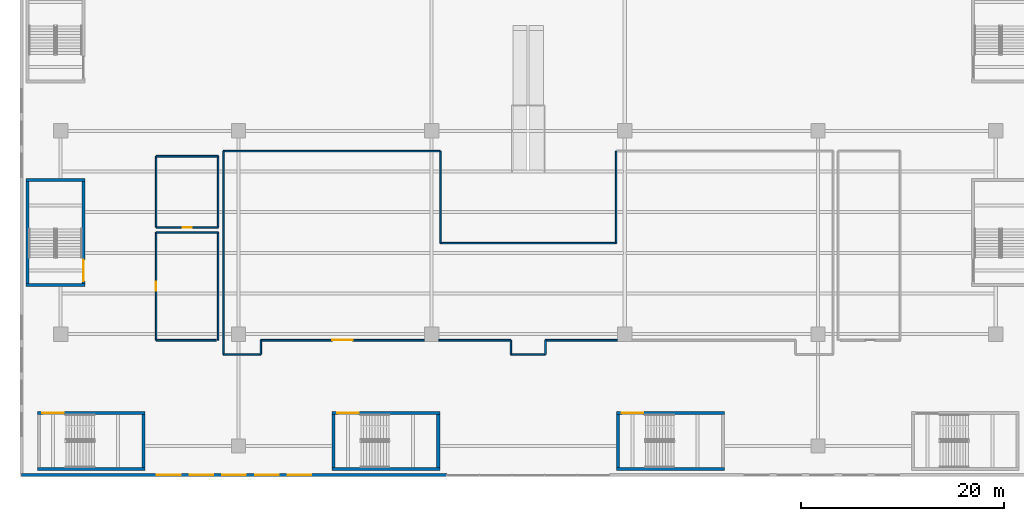
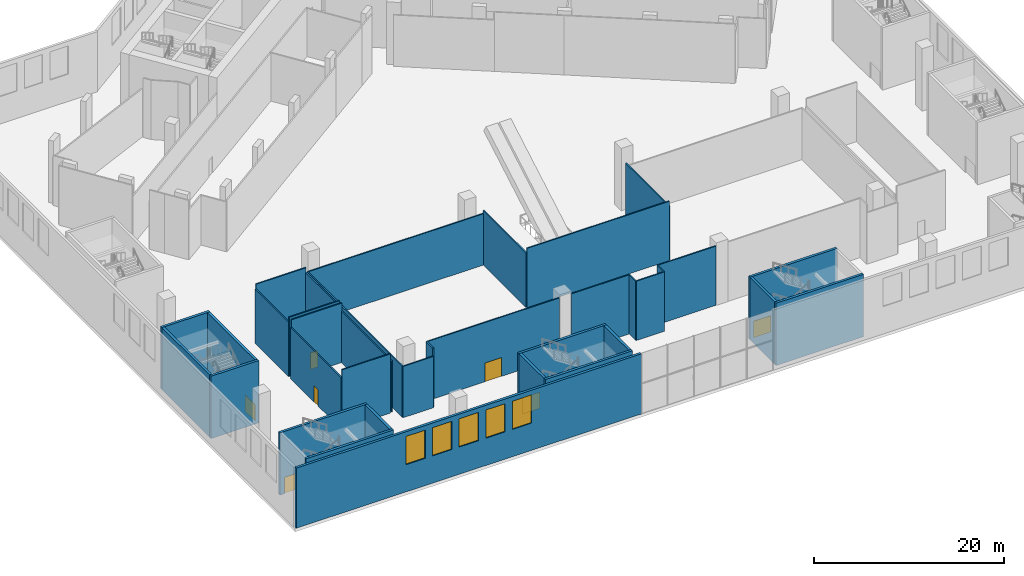
# One storey, part 5 of 27: 36 walls, 7 doors, 5 windows, 12 openings.
"""IFC4 building model written with IfcOpenShell, lengths in metres."""

from ifc_helpers import new_model, si_unit, direction, frame, frame_2d, origin, place, context, subcontext, project, spatial, rectangle, extrude, material, layer, layer_set, type_object, element, fill, save


model = new_model("IFC4")

# Units and contexts
model_context = context("Model", 3, precision=1e-05, world=origin(), true_north=direction((0.0, 1.0)))
body_context = subcontext(model_context, "Body", "Model", "MODEL_VIEW")
ifc_project = project(units=[si_unit("LENGTHUNIT", "METRE"), si_unit("AREAUNIT", "SQUARE_METRE"), si_unit("VOLUMEUNIT", "CUBIC_METRE"), si_unit("PLANEANGLEUNIT", "RADIAN"), si_unit("MASSUNIT", "GRAM", prefix="KILO")], contexts=[model_context])

# Site, building, storey
site_placement = place(None, origin())
site = spatial("IfcSite", under=ifc_project, at=site_placement, CompositionType="ELEMENT")
building_placement = place(site_placement, origin())
building = spatial("IfcBuilding", under=site, at=building_placement, Name="Tel Ilan Convention Tower", CompositionType="ELEMENT")
storey_placement = place(building_placement, frame((0.0, 0.0, 18.0)))
storey = spatial("IfcBuildingStorey", under=building, at=storey_placement, Name="L02", CompositionType="ELEMENT", Elevation=18.0)

# Walls
ifc_material_1 = material(Name="Plasterboard on Steel Studs", Category="steel")
ifc_layer_1 = layer(ifc_material_1, 0.14990234375)
ifc_layer_set_1 = layer_set([ifc_layer_1], Name="Fire-rated Partition 150 EI 60")
wall_type_1 = type_object("IfcWallType", Name="Fire-rated Partition 150 EI 60", PredefinedType="PARTITIONING", material=ifc_layer_set_1)
wall_1_placement = place(storey_placement, frame((-8.65087890625, -49.9990234375, 0.0), z_axis=(0.0, 0.0, 1.0), x_axis=(-1.0, 0.0, 0.0)))
element("IfcWall", 1, at=wall_1_placement, inside=storey, type_object=wall_type_1, Name="Partition 030", PredefinedType="PARTITIONING", context=body_context, shape_type="SweptSolid", body=[
    extrude(rectangle(XDim=21.34912109375, YDim=0.14990234375, at=frame_2d((10.674560546875, 0.0))), origin(), (0.0, 0.0, 1.0), 6.580078125),
])
wall_2_placement = place(storey_placement, frame((-30.0009765625, -50.0, 0.0), z_axis=(0.0, 0.0, 1.0), x_axis=(0.0, -1.0, 0.0)))
element("IfcWall", 2, at=wall_2_placement, inside=storey, type_object=wall_type_1, Name="Partition 031", PredefinedType="PARTITIONING", context=body_context, shape_type="SweptSolid", body=[
    extrude(rectangle(XDim=20.0, YDim=0.14990234375, at=frame_2d((10.0, 0.0))), origin(), (0.0, 0.0, 1.0), 6.580078125),
])
wall_3_placement = place(storey_placement, frame((-30.0, -70.0009765625, 0.0), z_axis=(0.0, 0.0, 1.0), x_axis=(1.0, 0.0, 0.0)))
element("IfcWall", 3, at=wall_3_placement, inside=storey, type_object=wall_type_1, Name="Partition 032", PredefinedType="PARTITIONING", context=body_context, shape_type="SweptSolid", body=[
    extrude(rectangle(XDim=3.698974609375, YDim=0.14990234375, at=frame_2d((1.849609375, 0.0))), origin(), (0.0, 0.0, 1.0), 6.580078125),
])
wall_4_placement = place(storey_placement, frame((-30.4990234375, -68.60009765625, 0.0), z_axis=(0.0, 0.0, 1.0), x_axis=(0.0, 1.0, 0.0)))
element("IfcWall", 4, at=wall_4_placement, inside=storey, type_object=wall_type_1, Name="Partition 035", PredefinedType="PARTITIONING", context=body_context, shape_type="SweptSolid", body=[
    extrude(rectangle(XDim=10.60009765625, YDim=0.14990234375, at=frame_2d((5.300048828125, 0.0))), origin(), (0.0, 0.0, 1.0), 6.580078125),
])
wall_5_placement = place(storey_placement, frame((-30.5, -57.9990234375, 0.0), z_axis=(0.0, 0.0, 1.0), x_axis=(-1.0, 0.0, 0.0)))
element("IfcWall", 5, at=wall_5_placement, inside=storey, type_object=wall_type_1, Name="Partition 036", PredefinedType="PARTITIONING", context=body_context, shape_type="SweptSolid", body=[
    extrude(rectangle(XDim=6.09912109375, YDim=0.14990234375, at=frame_2d((3.049560546875, 0.0))), origin(), (0.0, 0.0, 1.0), 7.60009765625),
])

# Wall, opening, door
wall_6_placement = place(storey_placement, frame((-36.59912109375, -57.5009765625, 0.0), z_axis=(0.0, 0.0, 1.0), x_axis=(1.0, 0.0, 0.0)))
wall_6 = element("IfcWall", 6, at=wall_6_placement, inside=storey, type_object=wall_type_1, Name="Partition 037", PredefinedType="PARTITIONING", context=body_context, shape_type="SweptSolid", body=[
    extrude(rectangle(XDim=6.09912109375, YDim=0.14990234375, at=frame_2d((3.049560546875, 0.0))), origin(), (0.0, 0.0, 1.0), 7.60009765625),
])
opening_1_placement = place(wall_6_placement, frame((2.599609375, 0.0, 0.0)))
opening_1 = element("IfcOpeningElement", 7, at=opening_1_placement, cuts=wall_6, Name="Opening L02-010", PredefinedType="OPENING", context=body_context, shape_type="SweptSolid", body=[
    extrude(rectangle(XDim=0.89990234375, YDim=2.10009765625, at=frame_2d((0.449951171875, 1.050048828125))), frame((0.0, 0.0849609375, 0.0), z_axis=(0.0, -1.0, 0.0), x_axis=(1.0, 0.0, 0.0)), (0.0, 0.0, 1.0), 0.169921875),
])
ifc_material_2 = material(Name="Timber Door Leaf in Steel Frame", Category="steel")
door_type_1 = type_object("IfcDoorType", Name="Riser and Service Fire Door 900x2100", OperationType="NOTDEFINED", PredefinedType="DOOR", material=ifc_material_2)
door_1_placement = place(opening_1_placement, origin())
door_1 = element("IfcDoor", 8, at=door_1_placement, inside=storey, type_object=door_type_1, Name="Door L02-010", OperationType="SINGLE_SWING_RIGHT", OverallHeight=2.10009765625, OverallWidth=0.89990234375, PredefinedType="DOOR", context=body_context, shape_type="SweptSolid", body=[
    extrude(rectangle(XDim=0.89990234375, YDim=2.10009765625, at=frame_2d((0.449951171875, 1.050048828125))), frame((0.0, 0.02490234375, 0.0), z_axis=(0.0, -1.0, 0.0), x_axis=(1.0, 0.0, 0.0)), (0.0, 0.0, 1.0), 0.050048828125),
])
fill(opening_1, door_1)

# Walls
wall_7_placement = place(storey_placement, frame((-30.4990234375, -57.5, 0.0), z_axis=(0.0, 0.0, 1.0), x_axis=(0.0, 1.0, 0.0)))
element("IfcWall", 9, at=wall_7_placement, inside=storey, type_object=wall_type_1, Name="Partition 038", PredefinedType="PARTITIONING", context=body_context, shape_type="SweptSolid", body=[
    extrude(rectangle(XDim=7.0, YDim=0.14990234375, at=frame_2d((3.5, 0.0))), origin(), (0.0, 0.0, 1.0), 6.97998046875),
])
wall_8_placement = place(storey_placement, frame((-30.5, -50.4990234375, 0.0), z_axis=(0.0, 0.0, 1.0), x_axis=(-1.0, 0.0, 0.0)))
element("IfcWall", 10, at=wall_8_placement, inside=storey, type_object=wall_type_1, Name="Partition 039", PredefinedType="PARTITIONING", context=body_context, shape_type="SweptSolid", body=[
    extrude(rectangle(XDim=6.09912109375, YDim=0.14990234375, at=frame_2d((3.049560546875, 0.0))), origin(), (0.0, 0.0, 1.0), 7.60009765625),
])
wall_9_placement = place(storey_placement, frame((-1.698974609375, -70.0009765625, 0.0), z_axis=(0.0, 0.0, 1.0), x_axis=(1.0, 0.0, 0.0)))
element("IfcWall", 11, at=wall_9_placement, inside=storey, type_object=wall_type_1, Name="Partition 045", PredefinedType="PARTITIONING", context=body_context, shape_type="SweptSolid", body=[
    extrude(rectangle(XDim=3.39794921875, YDim=0.14990234375, at=frame_2d((1.698974609375, 0.0))), origin(), (0.0, 0.0, 1.0), 7.60009765625),
])
wall_10_placement = place(storey_placement, frame((-26.300048828125, -70.001708984375, 0.0), z_axis=(0.0, 0.0, 1.0), x_axis=(0.0, 1.0, 0.0)))
element("IfcWall", 12, at=wall_10_placement, inside=storey, type_object=wall_type_1, Name="Partition 048", PredefinedType="PARTITIONING", context=body_context, shape_type="SweptSolid", body=[
    extrude(rectangle(XDim=1.401611328125, YDim=0.14990234375, at=frame_2d((0.70068359375, 0.0))), origin(), (0.0, 0.0, 1.0), 7.60009765625),
])

# Wall, opening, door
wall_11_placement = place(storey_placement, frame((-26.300048828125, -68.60009765625, 0.0), z_axis=(0.0, 0.0, 1.0), x_axis=(1.0, 0.0, 0.0)))
wall_11 = element("IfcWall", 13, at=wall_11_placement, inside=storey, type_object=wall_type_1, Name="Partition 049", PredefinedType="PARTITIONING", context=body_context, shape_type="SweptSolid", body=[
    extrude(rectangle(XDim=16.080078125, YDim=0.14990234375, at=frame_2d((8.0400390625, 0.0))), origin(), (0.0, 0.0, 1.0), 7.60009765625),
])
opening_2_placement = place(wall_11_placement, frame((7.0400390625, 0.0, 0.0)))
opening_2 = element("IfcOpeningElement", 14, at=opening_2_placement, cuts=wall_11, Name="Opening L02-007", PredefinedType="OPENING", context=body_context, shape_type="SweptSolid", body=[
    extrude(rectangle(XDim=2.0, YDim=2.39990234375, at=frame_2d((1.0, 1.199951171875))), frame((0.0, 0.0849609375, 0.0), z_axis=(0.0, -1.0, 0.0), x_axis=(1.0, 0.0, 0.0)), (0.0, 0.0, 1.0), 0.169921875),
])
ifc_material_3 = material(Name="Timber Door Leaf in Steel Frame", Category="steel")
door_type_2 = type_object("IfcDoorType", Name="Assembly Hall Double Fire Door 2000x2400", OperationType="NOTDEFINED", PredefinedType="DOOR", material=ifc_material_3)
door_2_placement = place(opening_2_placement, origin())
door_2 = element("IfcDoor", 15, at=door_2_placement, inside=storey, type_object=door_type_2, Name="Door L02-007", OperationType="DOUBLE_DOOR_SINGLE_SWING", OverallHeight=2.39990234375, OverallWidth=2.0, PredefinedType="DOOR", context=body_context, shape_type="SweptSolid", body=[
    extrude(rectangle(XDim=2.0, YDim=2.39990234375, at=frame_2d((1.0, 1.199951171875))), frame((0.0, 0.02490234375, 0.0), z_axis=(0.0, -1.0, 0.0), x_axis=(1.0, 0.0, 0.0)), (0.0, 0.0, 1.0), 0.050048828125),
])
fill(opening_2, door_2)

# Walls
wall_12_placement = place(storey_placement, frame((-8.780029296875, -68.60009765625, 0.0), z_axis=(0.0, 0.0, 1.0), x_axis=(1.0, 0.0, 0.0)))
element("IfcWall", 16, at=wall_12_placement, inside=storey, type_object=wall_type_1, Name="Partition 050", PredefinedType="PARTITIONING", context=body_context, shape_type="SweptSolid", body=[
    extrude(rectangle(XDim=7.080078125, YDim=0.14990234375, at=frame_2d((3.5400390625, 0.0))), origin(), (0.0, 0.0, 1.0), 7.60009765625),
])
for number, where, z_axis, x_axis, name in (
    (17, (-1.699951171875, -68.60009765625, 0.0), (0.0, 0.0, 1.0), (0.0, -1.0, 0.0), "Partition 051"),
    (18, (1.699951171875, -70.001708984375, 0.0), (0.0, 0.0, 1.0), (0.0, 1.0, 0.0), "Partition 052"),
):
    element("IfcWall", number, at=place(storey_placement, frame(where, z_axis=z_axis, x_axis=x_axis)), inside=storey, type_object=wall_type_1, Name=name, PredefinedType="PARTITIONING", context=body_context, shape_type="SweptSolid", body=[
        extrude(rectangle(XDim=1.401611328125, YDim=0.14990234375, at=frame_2d((0.70068359375, 0.0))), origin(), (0.0, 0.0, 1.0), 7.60009765625),
    ])
wall_13_placement = place(storey_placement, frame((1.699951171875, -68.60009765625, 0.0), z_axis=(0.0, 0.0, 1.0), x_axis=(1.0, 0.0, 0.0)))
element("IfcWall", 19, at=wall_13_placement, inside=storey, type_object=wall_type_1, Name="Partition 053", PredefinedType="PARTITIONING", context=body_context, shape_type="SweptSolid", body=[
    extrude(rectangle(XDim=7.080078125, YDim=0.14990234375, at=frame_2d((3.5400390625, 0.0))), origin(), (0.0, 0.0, 1.0), 7.60009765625),
])

# Wall, opening, door
wall_14_placement = place(storey_placement, frame((-36.60009765625, -57.998291015625, 0.0), z_axis=(0.0, 0.0, 1.0), x_axis=(0.0, -1.0, 0.0)))
wall_14 = element("IfcWall", 20, at=wall_14_placement, inside=storey, type_object=wall_type_1, Name="Partition 058", PredefinedType="PARTITIONING", context=body_context, shape_type="SweptSolid", body=[
    extrude(rectangle(XDim=10.601806640625, YDim=0.14990234375, at=frame_2d((5.30078125, 0.0))), origin(), (0.0, 0.0, 1.0), 6.580078125),
])
opening_3_placement = place(wall_14_placement, frame((4.850830078125, 0.0, 0.0)))
opening_3 = element("IfcOpeningElement", 21, at=opening_3_placement, cuts=wall_14, Name="Opening L02-009", PredefinedType="OPENING", context=body_context, shape_type="SweptSolid", body=[
    extrude(rectangle(XDim=0.89990234375, YDim=2.10009765625, at=frame_2d((0.449951171875, 1.050048828125))), frame((0.0, 0.0849609375, 0.0), z_axis=(0.0, -1.0, 0.0), x_axis=(1.0, 0.0, 0.0)), (0.0, 0.0, 1.0), 0.169921875),
])
ifc_material_4 = material(Name="Timber Door Leaf in Steel Frame", Category="steel")
door_type_3 = type_object("IfcDoorType", Name="Room Fire Door 900x2100", OperationType="NOTDEFINED", PredefinedType="DOOR", material=ifc_material_4)
door_3_placement = place(opening_3_placement, origin())
door_3 = element("IfcDoor", 22, at=door_3_placement, inside=storey, type_object=door_type_3, Name="Door L02-009", OperationType="SINGLE_SWING_RIGHT", OverallHeight=2.10009765625, OverallWidth=0.89990234375, PredefinedType="DOOR", context=body_context, shape_type="SweptSolid", body=[
    extrude(rectangle(XDim=0.89990234375, YDim=2.10009765625, at=frame_2d((0.449951171875, 1.050048828125))), frame((0.0, 0.02490234375, 0.0), z_axis=(0.0, -1.0, 0.0), x_axis=(1.0, 0.0, 0.0)), (0.0, 0.0, 1.0), 0.050048828125),
])
fill(opening_3, door_3)

# Walls
wall_15_placement = place(storey_placement, frame((-36.60009765625, -68.60009765625, 0.0), z_axis=(0.0, 0.0, 1.0), x_axis=(1.0, 0.0, 0.0)))
element("IfcWall", 23, at=wall_15_placement, inside=storey, type_object=wall_type_1, Name="Partition 059", PredefinedType="PARTITIONING", context=body_context, shape_type="SweptSolid", body=[
    extrude(rectangle(XDim=5.900146484375, YDim=0.14990234375, at=frame_2d((2.9501953125, 0.0))), origin(), (0.0, 0.0, 1.0), 7.60009765625),
])
wall_16_placement = place(storey_placement, frame((-36.60009765625, -50.498291015625, 0.0), z_axis=(0.0, 0.0, 1.0), x_axis=(0.0, -1.0, 0.0)))
element("IfcWall", 24, at=wall_16_placement, inside=storey, type_object=wall_type_1, Name="Partition 060", PredefinedType="PARTITIONING", context=body_context, shape_type="SweptSolid", body=[
    extrude(rectangle(XDim=7.00341796875, YDim=0.14990234375, at=frame_2d((3.501708984375, 0.0))), origin(), (0.0, 0.0, 1.0), 6.97998046875),
])
wall_17_placement = place(storey_placement, frame((8.64990234375, -59.050048828125, 0.0), z_axis=(0.0, 0.0, 1.0), x_axis=(-1.0, 0.0, 0.0)))
element("IfcWall", 25, at=wall_17_placement, inside=storey, type_object=wall_type_1, Name="Partition 065", PredefinedType="PARTITIONING", context=body_context, shape_type="SweptSolid", body=[
    extrude(rectangle(XDim=17.2998046875, YDim=0.14990234375, at=frame_2d((8.64990234375, 0.0))), origin(), (0.0, 0.0, 1.0), 7.60009765625),
])
for number, where, z_axis, x_axis, name in (
    (26, (-8.64990234375, -59.050048828125, 0.0), (0.0, 0.0, 1.0), (0.0, 1.0, 0.0), "Partition 066"),
    (27, (8.64990234375, -49.998291015625, 0.0), (0.0, 0.0, 1.0), (0.0, -1.0, 0.0), "Partition 067"),
):
    element("IfcWall", number, at=place(storey_placement, frame(where, z_axis=z_axis, x_axis=x_axis)), inside=storey, type_object=wall_type_1, Name=name, PredefinedType="PARTITIONING", context=body_context, shape_type="SweptSolid", body=[
        extrude(rectangle(XDim=9.0517578125, YDim=0.14990234375, at=frame_2d((4.52587890625, 0.0))), origin(), (0.0, 0.0, 1.0), 6.97998046875),
    ])

# Wall, openings, windows
ifc_material_5 = material(Name="Bronze aluminium cladding panel on insulated steel frame", Category="steel")
ifc_layer_2 = layer(ifc_material_5, 0.300048828125)
ifc_layer_set_2 = layer_set([ifc_layer_2], Name="PODIUM CLADDING WALL 300")
wall_type_2 = type_object("IfcWallType", Name="PODIUM CLADDING WALL 300", PredefinedType="SOLIDWALL", material=ifc_layer_set_2)
wall_18_placement = place(storey_placement, frame((-49.85009765625, -81.85009765625, 0.0), z_axis=(0.0, 0.0, 1.0), x_axis=(1.0, 0.0, 0.0)))
wall_18 = element("IfcWall", 28, at=wall_18_placement, inside=storey, type_object=wall_type_2, Name="Podium cladding wall", PredefinedType="SOLIDWALL", context=body_context, shape_type="SweptSolid", body=[
    extrude(rectangle(XDim=41.85009765625, YDim=0.300048828125, at=frame_2d((20.925048828125, 0.0))), origin(), (0.0, 0.0, 1.0), 7.719970703125),
])
opening_4_placement = place(wall_18_placement, frame((13.326904296875, 0.0, 3.5)))
opening_4 = element("IfcOpeningElement", 29, at=opening_4_placement, cuts=wall_18, Name="Opening W-05.001", PredefinedType="OPENING", context=body_context, shape_type="SweptSolid", body=[
    extrude(rectangle(XDim=2.3193359375, YDim=3.6201171875, at=frame_2d((1.15966796875, 1.81005859375))), frame((0.0, 0.159912109375, 0.0), z_axis=(0.0, -1.0, 0.0), x_axis=(1.0, 0.0, 0.0)), (0.0, 0.0, 1.0), 0.320068359375),
])
opening_5_placement = place(wall_18_placement, frame((16.546142578125, 0.0, 3.5)))
opening_5 = element("IfcOpeningElement", 30, at=opening_5_placement, cuts=wall_18, Name="Opening W-05.002", PredefinedType="OPENING", context=body_context, shape_type="SweptSolid", body=[
    extrude(rectangle(XDim=2.3193359375, YDim=3.6201171875, at=frame_2d((1.15966796875, 1.81005859375))), frame((0.0, 0.159912109375, 0.0), z_axis=(0.0, -1.0, 0.0), x_axis=(1.0, 0.0, 0.0)), (0.0, 0.0, 1.0), 0.320068359375),
])
opening_6_placement = place(wall_18_placement, frame((19.765380859375, 0.0, 3.5)))
opening_6 = element("IfcOpeningElement", 31, at=opening_6_placement, cuts=wall_18, Name="Opening W-05.003", PredefinedType="OPENING", context=body_context, shape_type="SweptSolid", body=[
    extrude(rectangle(XDim=2.3193359375, YDim=3.6201171875, at=frame_2d((1.15966796875, 1.81005859375))), frame((0.0, 0.159912109375, 0.0), z_axis=(0.0, -1.0, 0.0), x_axis=(1.0, 0.0, 0.0)), (0.0, 0.0, 1.0), 0.320068359375),
])
opening_7_placement = place(wall_18_placement, frame((22.984619140625, 0.0, 3.5)))
opening_7 = element("IfcOpeningElement", 32, at=opening_7_placement, cuts=wall_18, Name="Opening W-05.004", PredefinedType="OPENING", context=body_context, shape_type="SweptSolid", body=[
    extrude(rectangle(XDim=2.3193359375, YDim=3.6201171875, at=frame_2d((1.15966796875, 1.81005859375))), frame((0.0, 0.159912109375, 0.0), z_axis=(0.0, -1.0, 0.0), x_axis=(1.0, 0.0, 0.0)), (0.0, 0.0, 1.0), 0.320068359375),
])
opening_8_placement = place(wall_18_placement, frame((26.203857421875, 0.0, 3.5)))
opening_8 = element("IfcOpeningElement", 33, at=opening_8_placement, cuts=wall_18, Name="Opening W-05.005", PredefinedType="OPENING", context=body_context, shape_type="SweptSolid", body=[
    extrude(rectangle(XDim=2.3193359375, YDim=3.6201171875, at=frame_2d((1.15966796875, 1.81005859375))), frame((0.0, 0.159912109375, 0.0), z_axis=(0.0, -1.0, 0.0), x_axis=(1.0, 0.0, 0.0)), (0.0, 0.0, 1.0), 0.320068359375),
])
ifc_material_6 = material(Name="Aluminium framed glazing, bronze anodised, tinted glass", Category="aluminium")
window_type = type_object("IfcWindowType", Name="PODIUM WINDOW 2319x3620", PartitioningType="SINGLE_PANEL", PredefinedType="WINDOW", material=ifc_material_6)
window_1_placement = place(opening_4_placement, origin())
window_1 = element("IfcWindow", 34, at=window_1_placement, inside=storey, type_object=window_type, Name="Podium window", OverallHeight=3.6201171875, OverallWidth=2.3193359375, PartitioningType="SINGLE_PANEL", PredefinedType="WINDOW", context=body_context, shape_type="SweptSolid", body=[
    extrude(rectangle(XDim=2.3193359375, YDim=3.6201171875, at=frame_2d((1.15966796875, 1.81005859375))), frame((0.0, 0.030029296875, 0.0), z_axis=(0.0, -1.0, 0.0), x_axis=(1.0, 0.0, 0.0)), (0.0, 0.0, 1.0), 0.06005859375),
])
fill(opening_4, window_1)
window_2_placement = place(opening_5_placement, origin())
window_2 = element("IfcWindow", 35, at=window_2_placement, inside=storey, type_object=window_type, Name="Podium window", OverallHeight=3.6201171875, OverallWidth=2.3193359375, PartitioningType="SINGLE_PANEL", PredefinedType="WINDOW", context=body_context, shape_type="SweptSolid", body=[
    extrude(rectangle(XDim=2.3193359375, YDim=3.6201171875, at=frame_2d((1.15966796875, 1.81005859375))), frame((0.0, 0.030029296875, 0.0), z_axis=(0.0, -1.0, 0.0), x_axis=(1.0, 0.0, 0.0)), (0.0, 0.0, 1.0), 0.06005859375),
])
fill(opening_5, window_2)
window_3_placement = place(opening_6_placement, origin())
window_3 = element("IfcWindow", 36, at=window_3_placement, inside=storey, type_object=window_type, Name="Podium window", OverallHeight=3.6201171875, OverallWidth=2.3193359375, PartitioningType="SINGLE_PANEL", PredefinedType="WINDOW", context=body_context, shape_type="SweptSolid", body=[
    extrude(rectangle(XDim=2.3193359375, YDim=3.6201171875, at=frame_2d((1.15966796875, 1.81005859375))), frame((0.0, 0.030029296875, 0.0), z_axis=(0.0, -1.0, 0.0), x_axis=(1.0, 0.0, 0.0)), (0.0, 0.0, 1.0), 0.06005859375),
])
fill(opening_6, window_3)
window_4_placement = place(opening_7_placement, origin())
window_4 = element("IfcWindow", 37, at=window_4_placement, inside=storey, type_object=window_type, Name="Podium window", OverallHeight=3.6201171875, OverallWidth=2.3193359375, PartitioningType="SINGLE_PANEL", PredefinedType="WINDOW", context=body_context, shape_type="SweptSolid", body=[
    extrude(rectangle(XDim=2.3193359375, YDim=3.6201171875, at=frame_2d((1.15966796875, 1.81005859375))), frame((0.0, 0.030029296875, 0.0), z_axis=(0.0, -1.0, 0.0), x_axis=(1.0, 0.0, 0.0)), (0.0, 0.0, 1.0), 0.06005859375),
])
fill(opening_7, window_4)
window_5_placement = place(opening_8_placement, origin())
window_5 = element("IfcWindow", 38, at=window_5_placement, inside=storey, type_object=window_type, Name="Podium window", OverallHeight=3.6201171875, OverallWidth=2.3193359375, PartitioningType="SINGLE_PANEL", PredefinedType="WINDOW", context=body_context, shape_type="SweptSolid", body=[
    extrude(rectangle(XDim=2.3193359375, YDim=3.6201171875, at=frame_2d((1.15966796875, 1.81005859375))), frame((0.0, 0.030029296875, 0.0), z_axis=(0.0, -1.0, 0.0), x_axis=(1.0, 0.0, 0.0)), (0.0, 0.0, 1.0), 0.06005859375),
])
fill(opening_8, window_5)

# Wall
ifc_material_7 = material(Name="Concrete C40/50", Category="concrete")
ifc_layer_3 = layer(ifc_material_7, 0.300048828125)
ifc_layer_set_3 = layer_set([ifc_layer_3], Name="Stair Enclosure Wall 300 mm C40/50")
wall_type_3 = type_object("IfcWallType", Name="Stair Enclosure Wall 300 mm C40/50", PredefinedType="SOLIDWALL", material=ifc_layer_set_3)
wall_19_placement = place(storey_placement, frame((-48.300048828125, -81.25, 0.0), z_axis=(0.0, 0.0, 1.0), x_axis=(1.0, 0.0, 0.0)))
element("IfcWall", 39, at=wall_19_placement, inside=storey, type_object=wall_type_3, Name="P1 stair enclosure wall S L02", PredefinedType="SOLIDWALL", context=body_context, shape_type="SweptSolid", body=[
    extrude(rectangle(XDim=10.60009765625, YDim=0.300048828125, at=frame_2d((5.300048828125, 0.0))), origin(), (0.0, 0.0, 1.0), 8.0),
])

# Wall, opening, door
wall_20_placement = place(storey_placement, frame((-48.300048828125, -75.75, 0.0), z_axis=(0.0, 0.0, 1.0), x_axis=(1.0, 0.0, 0.0)))
wall_20 = element("IfcWall", 40, at=wall_20_placement, inside=storey, type_object=wall_type_3, Name="P1 stair enclosure wall N L02", PredefinedType="SOLIDWALL", context=body_context, shape_type="SweptSolid", body=[
    extrude(rectangle(XDim=10.60009765625, YDim=0.300048828125, at=frame_2d((5.300048828125, 0.0))), origin(), (0.0, 0.0, 1.0), 8.0),
])
opening_9_placement = place(wall_20_placement, frame((0.512451171875, 0.0, 0.0)))
opening_9 = element("IfcOpeningElement", 41, at=opening_9_placement, cuts=wall_20, Name="Opening PD105", PredefinedType="OPENING", context=body_context, shape_type="SweptSolid", body=[
    extrude(rectangle(XDim=2.10009765625, YDim=2.10009765625, at=frame_2d((1.050048828125, 1.050048828125))), frame((0.0, 0.159912109375, 0.0), z_axis=(0.0, -1.0, 0.0), x_axis=(1.0, 0.0, 0.0)), (0.0, 0.0, 1.0), 0.320068359375),
])
ifc_material_8 = material(Name="Galvanised Steel Door Leaf", Category="steel")
door_type_4 = type_object("IfcDoorType", Name="Stair Fire Door 2100 x 2100 FD60S", OperationType="NOTDEFINED", PredefinedType="DOOR", material=ifc_material_8)
door_4_placement = place(opening_9_placement, origin())
door_4 = element("IfcDoor", 42, at=door_4_placement, inside=storey, type_object=door_type_4, Name="Stair P1 floor door", OperationType="DOUBLE_DOOR_SINGLE_SWING", OverallHeight=2.10009765625, OverallWidth=2.10009765625, PredefinedType="DOOR", context=body_context, shape_type="SweptSolid", body=[
    extrude(rectangle(XDim=2.10009765625, YDim=2.10009765625, at=frame_2d((1.050048828125, 1.050048828125))), frame((0.0, 0.02490234375, 0.0), z_axis=(0.0, -1.0, 0.0), x_axis=(1.0, 0.0, 0.0)), (0.0, 0.0, 1.0), 0.050048828125),
])
fill(opening_9, door_4)

# Walls
wall_21_placement = place(storey_placement, frame((-37.85009765625, -81.10009765625, 0.0), z_axis=(0.0, 0.0, 1.0), x_axis=(0.0, 1.0, 0.0)))
element("IfcWall", 43, at=wall_21_placement, inside=storey, type_object=wall_type_3, Name="P1 stair enclosure wall E L02", PredefinedType="SOLIDWALL", context=body_context, shape_type="SweptSolid", body=[
    extrude(rectangle(XDim=5.2001953125, YDim=0.300048828125, at=frame_2d((2.60009765625, 0.0))), origin(), (0.0, 0.0, 1.0), 8.0),
])
wall_22_placement = place(storey_placement, frame((-19.300048828125, -81.25, 0.0), z_axis=(0.0, 0.0, 1.0), x_axis=(1.0, 0.0, 0.0)))
element("IfcWall", 44, at=wall_22_placement, inside=storey, type_object=wall_type_3, Name="P2 stair enclosure wall S L02", PredefinedType="SOLIDWALL", context=body_context, shape_type="SweptSolid", body=[
    extrude(rectangle(XDim=10.60009765625, YDim=0.300048828125, at=frame_2d((5.300048828125, 0.0))), origin(), (0.0, 0.0, 1.0), 8.0),
])

# Wall, opening, door
wall_23_placement = place(storey_placement, frame((-19.300048828125, -75.75, 0.0), z_axis=(0.0, 0.0, 1.0), x_axis=(1.0, 0.0, 0.0)))
wall_23 = element("IfcWall", 45, at=wall_23_placement, inside=storey, type_object=wall_type_3, Name="P2 stair enclosure wall N L02", PredefinedType="SOLIDWALL", context=body_context, shape_type="SweptSolid", body=[
    extrude(rectangle(XDim=10.60009765625, YDim=0.300048828125, at=frame_2d((5.300048828125, 0.0))), origin(), (0.0, 0.0, 1.0), 8.0),
])
opening_10_placement = place(wall_23_placement, frame((0.512451171875, 0.0, 0.0)))
opening_10 = element("IfcOpeningElement", 46, at=opening_10_placement, cuts=wall_23, Name="Opening PD205", PredefinedType="OPENING", context=body_context, shape_type="SweptSolid", body=[
    extrude(rectangle(XDim=2.10009765625, YDim=2.10009765625, at=frame_2d((1.050048828125, 1.050048828125))), frame((0.0, 0.159912109375, 0.0), z_axis=(0.0, -1.0, 0.0), x_axis=(1.0, 0.0, 0.0)), (0.0, 0.0, 1.0), 0.320068359375),
])
door_5_placement = place(opening_10_placement, origin())
door_5 = element("IfcDoor", 47, at=door_5_placement, inside=storey, type_object=door_type_4, Name="Stair P2 floor door", OperationType="DOUBLE_DOOR_SINGLE_SWING", OverallHeight=2.10009765625, OverallWidth=2.10009765625, PredefinedType="DOOR", context=body_context, shape_type="SweptSolid", body=[
    extrude(rectangle(XDim=2.10009765625, YDim=2.10009765625, at=frame_2d((1.050048828125, 1.050048828125))), frame((0.0, 0.02490234375, 0.0), z_axis=(0.0, -1.0, 0.0), x_axis=(1.0, 0.0, 0.0)), (0.0, 0.0, 1.0), 0.050048828125),
])
fill(opening_10, door_5)

# Walls
for number, where, z_axis, x_axis, name in (
    (48, (-19.14990234375, -81.10009765625, 0.0), (0.0, 0.0, 1.0), (0.0, 1.0, 0.0), "P2 stair enclosure wall W L02"),
    (49, (-8.85009765625, -81.10009765625, 0.0), (0.0, 0.0, 1.0), (0.0, 1.0, 0.0), "P2 stair enclosure wall E L02"),
):
    element("IfcWall", number, at=place(storey_placement, frame(where, z_axis=z_axis, x_axis=x_axis)), inside=storey, type_object=wall_type_3, Name=name, PredefinedType="SOLIDWALL", context=body_context, shape_type="SweptSolid", body=[
        extrude(rectangle(XDim=5.2001953125, YDim=0.300048828125, at=frame_2d((2.60009765625, 0.0))), origin(), (0.0, 0.0, 1.0), 8.0),
    ])
wall_24_placement = place(storey_placement, frame((8.699951171875, -81.25, 0.0), z_axis=(0.0, 0.0, 1.0), x_axis=(1.0, 0.0, 0.0)))
element("IfcWall", 50, at=wall_24_placement, inside=storey, type_object=wall_type_3, Name="P3 stair enclosure wall S L02", PredefinedType="SOLIDWALL", context=body_context, shape_type="SweptSolid", body=[
    extrude(rectangle(XDim=10.60009765625, YDim=0.300048828125, at=frame_2d((5.300048828125, 0.0))), origin(), (0.0, 0.0, 1.0), 8.0),
])

# Wall, opening, door
wall_25_placement = place(storey_placement, frame((8.699951171875, -75.75, 0.0), z_axis=(0.0, 0.0, 1.0), x_axis=(1.0, 0.0, 0.0)))
wall_25 = element("IfcWall", 51, at=wall_25_placement, inside=storey, type_object=wall_type_3, Name="P3 stair enclosure wall N L02", PredefinedType="SOLIDWALL", context=body_context, shape_type="SweptSolid", body=[
    extrude(rectangle(XDim=10.60009765625, YDim=0.300048828125, at=frame_2d((5.300048828125, 0.0))), origin(), (0.0, 0.0, 1.0), 8.0),
])
opening_11_placement = place(wall_25_placement, frame((0.512451171875, 0.0, 0.0)))
opening_11 = element("IfcOpeningElement", 52, at=opening_11_placement, cuts=wall_25, Name="Opening PD305", PredefinedType="OPENING", context=body_context, shape_type="SweptSolid", body=[
    extrude(rectangle(XDim=2.10009765625, YDim=2.10009765625, at=frame_2d((1.050048828125, 1.050048828125))), frame((0.0, 0.159912109375, 0.0), z_axis=(0.0, -1.0, 0.0), x_axis=(1.0, 0.0, 0.0)), (0.0, 0.0, 1.0), 0.320068359375),
])
door_6_placement = place(opening_11_placement, origin())
door_6 = element("IfcDoor", 53, at=door_6_placement, inside=storey, type_object=door_type_4, Name="Stair P3 floor door", OperationType="DOUBLE_DOOR_SINGLE_SWING", OverallHeight=2.10009765625, OverallWidth=2.10009765625, PredefinedType="DOOR", context=body_context, shape_type="SweptSolid", body=[
    extrude(rectangle(XDim=2.10009765625, YDim=2.10009765625, at=frame_2d((1.050048828125, 1.050048828125))), frame((0.0, 0.02490234375, 0.0), z_axis=(0.0, -1.0, 0.0), x_axis=(1.0, 0.0, 0.0)), (0.0, 0.0, 1.0), 0.050048828125),
])
fill(opening_11, door_6)

# Walls
wall_26_placement = place(storey_placement, frame((8.85009765625, -81.10009765625, 0.0), z_axis=(0.0, 0.0, 1.0), x_axis=(0.0, 1.0, 0.0)))
element("IfcWall", 54, at=wall_26_placement, inside=storey, type_object=wall_type_3, Name="P3 stair enclosure wall W L02", PredefinedType="SOLIDWALL", context=body_context, shape_type="SweptSolid", body=[
    extrude(rectangle(XDim=5.2001953125, YDim=0.300048828125, at=frame_2d((2.60009765625, 0.0))), origin(), (0.0, 0.0, 1.0), 8.0),
])
for number, where, z_axis, x_axis, name in (
    (55, (-49.39990234375, -63.14990234375, 0.0), (0.0, 0.0, 1.0), (1.0, 0.0, 0.0), "P5 stair enclosure wall S L02"),
    (56, (-49.39990234375, -52.85009765625, 0.0), (0.0, 0.0, 1.0), (1.0, 0.0, 0.0), "P5 stair enclosure wall N L02"),
):
    element("IfcWall", number, at=place(storey_placement, frame(where, z_axis=z_axis, x_axis=x_axis)), inside=storey, type_object=wall_type_3, Name=name, PredefinedType="SOLIDWALL", context=body_context, shape_type="SweptSolid", body=[
        extrude(rectangle(XDim=5.7998046875, YDim=0.300048828125, at=frame_2d((2.89990234375, 0.0))), origin(), (0.0, 0.0, 1.0), 8.0),
    ])
wall_27_placement = place(storey_placement, frame((-49.25, -63.0, 0.0), z_axis=(0.0, 0.0, 1.0), x_axis=(0.0, 1.0, 0.0)))
element("IfcWall", 57, at=wall_27_placement, inside=storey, type_object=wall_type_3, Name="P5 stair enclosure wall W L02", PredefinedType="SOLIDWALL", context=body_context, shape_type="SweptSolid", body=[
    extrude(rectangle(XDim=10.0, YDim=0.300048828125, at=frame_2d((5.0, 0.0))), origin(), (0.0, 0.0, 1.0), 8.0),
])

# Wall, opening, door
wall_28_placement = place(storey_placement, frame((-43.75, -63.0, 0.0), z_axis=(0.0, 0.0, 1.0), x_axis=(0.0, 1.0, 0.0)))
wall_28 = element("IfcWall", 58, at=wall_28_placement, inside=storey, type_object=wall_type_3, Name="P5 stair enclosure wall E L02", PredefinedType="SOLIDWALL", context=body_context, shape_type="SweptSolid", body=[
    extrude(rectangle(XDim=10.0, YDim=0.300048828125, at=frame_2d((5.0, 0.0))), origin(), (0.0, 0.0, 1.0), 8.0),
])
opening_12_placement = place(wall_28_placement, frame((0.21240234375, 0.0, 0.0)))
opening_12 = element("IfcOpeningElement", 59, at=opening_12_placement, cuts=wall_28, Name="Opening PD505", PredefinedType="OPENING", context=body_context, shape_type="SweptSolid", body=[
    extrude(rectangle(XDim=2.10009765625, YDim=2.10009765625, at=frame_2d((1.050048828125, 1.050048828125))), frame((0.0, 0.159912109375, 0.0), z_axis=(0.0, -1.0, 0.0), x_axis=(1.0, 0.0, 0.0)), (0.0, 0.0, 1.0), 0.320068359375),
])
door_7_placement = place(opening_12_placement, origin())
door_7 = element("IfcDoor", 60, at=door_7_placement, inside=storey, type_object=door_type_4, Name="Stair P5 floor door", OperationType="DOUBLE_DOOR_SINGLE_SWING", OverallHeight=2.10009765625, OverallWidth=2.10009765625, PredefinedType="DOOR", context=body_context, shape_type="SweptSolid", body=[
    extrude(rectangle(XDim=2.10009765625, YDim=2.10009765625, at=frame_2d((1.050048828125, 1.050048828125))), frame((0.0, 0.02490234375, 0.0), z_axis=(0.0, -1.0, 0.0), x_axis=(1.0, 0.0, 0.0)), (0.0, 0.0, 1.0), 0.050048828125),
])
fill(opening_12, door_7)

save(model, "model.ifc")
